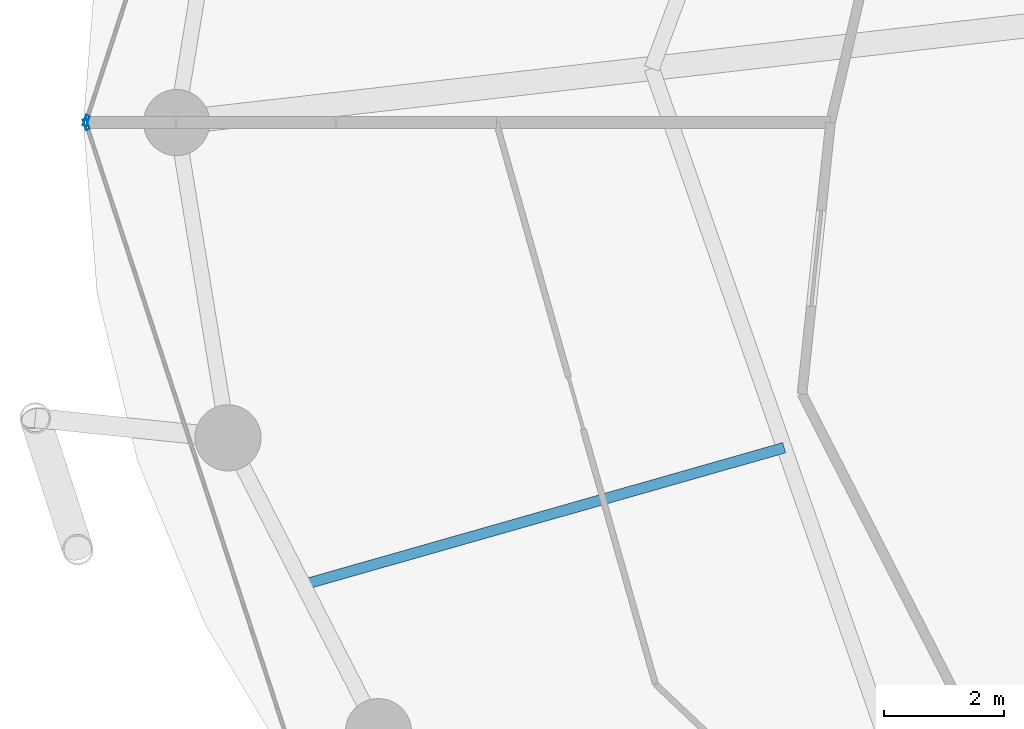
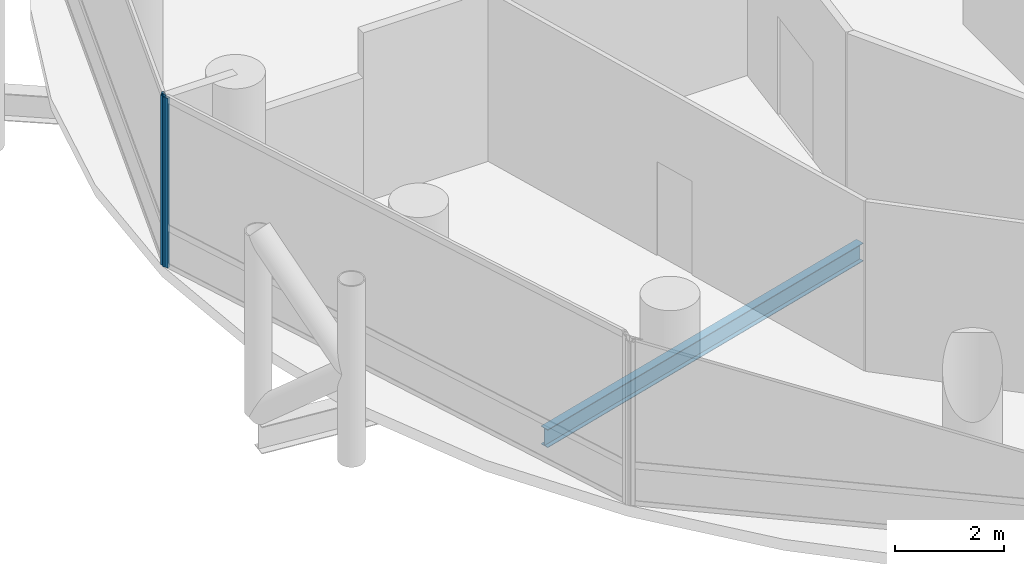
# One storey, part 6 of 24: 2 members, 1 beam, 2 elements without a shape of their own.
"""IFC4 building model written with IfcOpenShell, lengths in metres."""

from ifc_helpers import new_model, si_unit, direction, frame, origin, origin_2d, place, context, subcontext, project, spatial, hollow_rectangle, i_section, extrude, material, layer, layer_set, material_profile, profile_set, type_object, element, aggregate, save


model = new_model("IFC4")

# Units and contexts
model_context = context("Model", 3, precision=1e-05, world=origin(), true_north=direction((0.0, 1.0)))
body_context = subcontext(model_context, "Body", "Model", "MODEL_VIEW")
ifc_project = project(units=[si_unit("LENGTHUNIT", "METRE"), si_unit("AREAUNIT", "SQUARE_METRE"), si_unit("VOLUMEUNIT", "CUBIC_METRE"), si_unit("PLANEANGLEUNIT", "RADIAN"), si_unit("MASSUNIT", "GRAM", prefix="KILO")], contexts=[model_context])

# Site, building, storey
site_placement = place(None, origin())
site = spatial("IfcSite", under=ifc_project, at=site_placement, CompositionType="ELEMENT")
building_placement = place(site_placement, origin())
building = spatial("IfcBuilding", under=site, at=building_placement, Name="Nuhasar Tower", CompositionType="ELEMENT")
storey_placement = place(building_placement, frame((0.0, 0.0, 77.699951171875)))
storey = spatial("IfcBuildingStorey", under=building, at=storey_placement, Name="L18", CompositionType="ELEMENT", Elevation=77.699951171875)

# Beam
ifc_material_1 = material(Name="Steel S355", Category="steel")
ifc_material_profile_1 = material_profile(ifc_material_1, i_section(OverallWidth=0.177978515625, OverallDepth=0.406005859375, WebThickness=0.0078125, FlangeThickness=0.0126953125, at=origin_2d()), Name="W16X40")
ifc_profile_set_1 = profile_set([ifc_material_profile_1], Name="Steel S355")
beam_type = type_object("IfcBeamType", Name="BM-JST-W16X40", PredefinedType="JOIST", material=ifc_profile_set_1)
beam_placement = place(storey_placement, frame((24.051025390625, 21.39501953125, -0.452880859375), z_axis=(-0.961730884496, -0.273995813484, 0.0), x_axis=(0.273995813484, -0.961730884496, 0.0)))
element("IfcBeam", 1, at=beam_placement, inside=storey, type_object=beam_type, Name="L18 Secondary Floor Joist 08", PredefinedType="JOIST", context=body_context, shape_type="SweptSolid", body=[
    extrude(i_section(OverallWidth=0.177978515625, OverallDepth=0.406005859375, WebThickness=0.0078125, FlangeThickness=0.0126953125, at=origin_2d()), origin(), (0.0, 0.0, 1.0), 8.314208984375),
])

# Curtain wall, member
ifc_material_2 = material(Name="Aluminium 6063-T6", Category="aluminium")
ifc_layer = layer(ifc_material_2, 0.199951171875)
ifc_layer_set = layer_set([ifc_layer], Name="Aluminium 6063-T6")
curtain_wall_type = type_object("IfcCurtainWallType", Name="CW-Z1-OFF", PredefinedType="NOTDEFINED", material=ifc_layer_set)
curtain_wall_1_placement = place(storey_placement, origin())
curtain_wall_1 = element("IfcCurtainWall", 2, at=curtain_wall_1_placement, inside=storey, type_object=curtain_wall_type, Name="L18 Unitised Curtain Wall 06", PredefinedType="NOTDEFINED")
ifc_material_profile_2 = material_profile(ifc_material_2, hollow_rectangle(XDim=0.06494140625, YDim=0.179931640625, WallThickness=0.0048828125, at=origin_2d()), Name="CWM-2")
ifc_profile_set_2 = profile_set([ifc_material_profile_2], Name="Aluminium 6063-T6")
member_type = type_object("IfcMemberType", Name="CW-MUL-S2", PredefinedType="MULLION", material=ifc_profile_set_2)
member_1_placement = place(storey_placement, frame((12.4501953125, 26.830810546875, 0.0), z_axis=(0.0, 0.0, 1.0), x_axis=(0.950467534571, -0.310823849997, 0.0)))
member_1 = element("IfcMember", 3, at=member_1_placement, type_object=member_type, Name="CW-Z1 mullion 2", PredefinedType="MULLION", context=body_context, shape_type="SweptSolid", body=[
    extrude(hollow_rectangle(XDim=0.06494140625, YDim=0.179931640625, WallThickness=0.0048828125, at=origin_2d()), origin(), (0.0, 0.0, 1.0), 3.800048828125),
])
aggregate(curtain_wall_1, [member_1])

curtain_wall_2_placement = place(storey_placement, origin())
curtain_wall_2 = element("IfcCurtainWall", 4, at=curtain_wall_2_placement, inside=storey, type_object=curtain_wall_type, Name="L18 Unitised Curtain Wall 07", PredefinedType="NOTDEFINED")
member_2_placement = place(storey_placement, frame((12.4501953125, 26.76904296875, 0.0), z_axis=(0.0, 0.0, 1.0), x_axis=(0.950467534571, 0.310823849997, 0.0)))
member_2 = element("IfcMember", 5, at=member_2_placement, type_object=member_type, Name="CW-Z1 mullion 1", PredefinedType="MULLION", context=body_context, shape_type="SweptSolid", body=[
    extrude(hollow_rectangle(XDim=0.06494140625, YDim=0.179931640625, WallThickness=0.0048828125, at=origin_2d()), origin(), (0.0, 0.0, 1.0), 3.800048828125),
])
aggregate(curtain_wall_2, [member_2])

save(model, "model.ifc")
